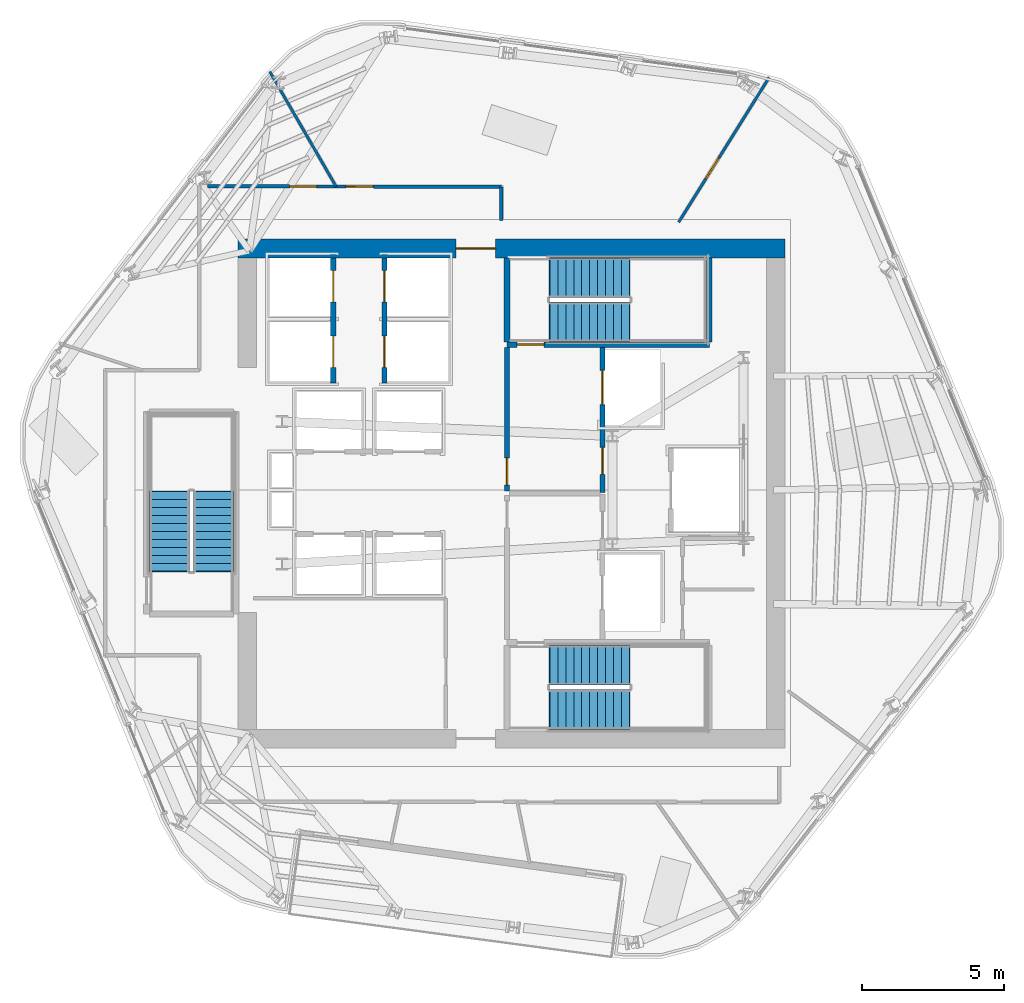
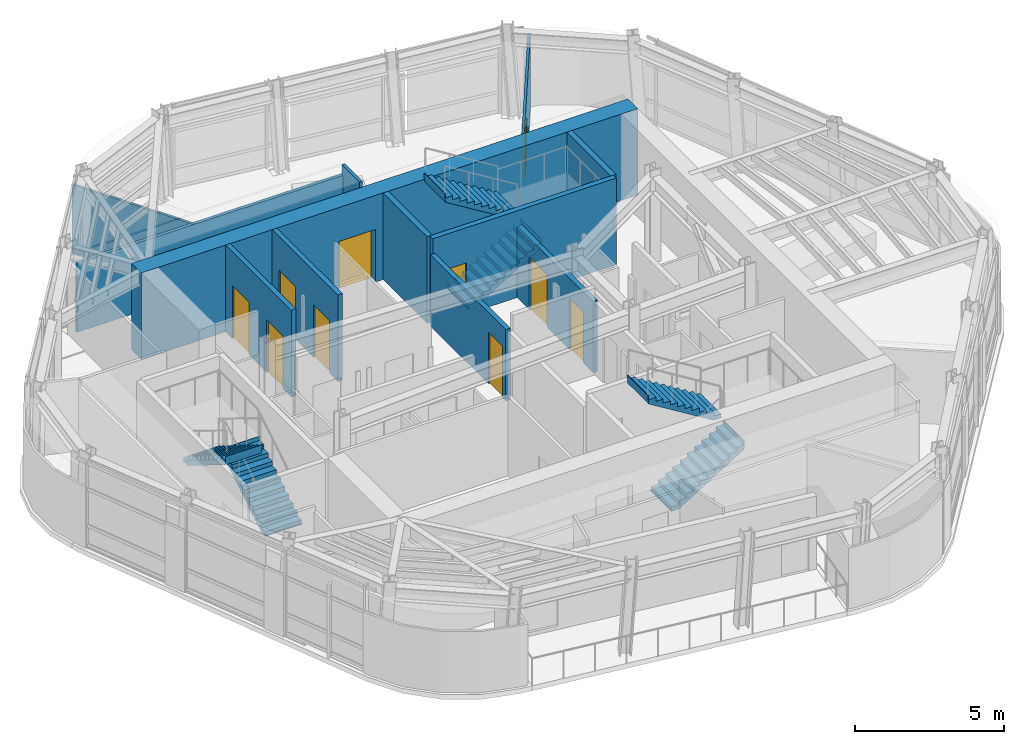
# One storey, part 7 of 12: 12 doors, 12 walls, 6 stair flights, 12 openings, 3 elements without a shape of their own.
"""IFC4 building model written with IfcOpenShell, lengths in metres."""

from ifc_helpers import new_model, si_unit, direction, frame, frame_2d, origin, place, context, subcontext, project, spatial, polyline, rectangle, outline, extrude, material, layer, layer_set, type_object, element, fill, aggregate, save


model = new_model("IFC4")

# Units and contexts
model_context = context("Model", 3, precision=1e-05, world=origin(), true_north=direction((0.0, 1.0)))
body_context = subcontext(model_context, "Body", "Model", "MODEL_VIEW")
ifc_project = project(units=[si_unit("LENGTHUNIT", "METRE"), si_unit("AREAUNIT", "SQUARE_METRE"), si_unit("VOLUMEUNIT", "CUBIC_METRE"), si_unit("PLANEANGLEUNIT", "RADIAN"), si_unit("MASSUNIT", "GRAM", prefix="KILO")], contexts=[model_context])

# Site, building, storey
site_placement = place(None, origin())
site = spatial("IfcSite", under=ifc_project, at=site_placement, CompositionType="ELEMENT")
building_placement = place(site_placement, origin())
building = spatial("IfcBuilding", under=site, at=building_placement, Name="Valkerne Bourse Tower", CompositionType="ELEMENT")
storey_placement = place(building_placement, frame((0.0, 0.0, 247.39990234375)))
storey = spatial("IfcBuildingStorey", under=building, at=storey_placement, Name="L63", CompositionType="ELEMENT", Elevation=247.39990234375)

# Wall, opening, door
ifc_material_1 = material(Name="Concrete C55/67", Category="concrete")
ifc_layer_1 = layer(ifc_material_1, 0.64990234375)
ifc_layer_set_1 = layer_set([ifc_layer_1], Name="Concrete C55/67")
wall_type_1 = type_object("IfcWallType", Name="W-CORE-650", PredefinedType="SHEAR", material=ifc_layer_set_1)
wall_1_placement = place(storey_placement, frame((37.199951171875, 35.47509765625, 0.0), z_axis=(0.0, 0.0, 1.0), x_axis=(1.0, 0.0, 0.0)))
wall_1 = element("IfcWall", 1, at=wall_1_placement, inside=storey, type_object=wall_type_1, Name="L63 Core Shear Wall NORTH", PredefinedType="SHEAR", context=body_context, shape_type="SweptSolid", body=[
    extrude(rectangle(XDim=19.199951171875, YDim=0.64990234375, at=frame_2d((9.60009765625, 0.0))), origin(), (0.0, 0.0, 1.0), 3.5400390625),
])
opening_1_placement = place(wall_1_placement, frame((7.64990234375, 0.0, 0.0)))
opening_1 = element("IfcOpeningElement", 2, at=opening_1_placement, cuts=wall_1, Name="Opening D-PL-1400", PredefinedType="OPENING", context=body_context, shape_type="SweptSolid", body=[
    extrude(rectangle(XDim=1.39990234375, YDim=2.14990234375, at=frame_2d((0.699951171875, 1.074951171875))), frame((0.0, 0.3349609375, 0.0), z_axis=(0.0, -1.0, 0.0), x_axis=(1.0, 0.0, 0.0)), (0.0, 0.0, 1.0), 0.669921875),
])
ifc_material_2 = material(Name="Galvanised Painted Steel", Category="steel")
door_type_1 = type_object("IfcDoorType", Name="DR-PLT-1400", OperationType="DOUBLE_DOOR_SINGLE_SWING", PredefinedType="DOOR", material=ifc_material_2)
door_1_placement = place(opening_1_placement, origin())
door_1 = element("IfcDoor", 3, at=door_1_placement, inside=storey, type_object=door_type_1, Name="L63 North Passenger Lift Hall Fire Door", OperationType="DOUBLE_DOOR_SINGLE_SWING", OverallHeight=2.14990234375, OverallWidth=1.39990234375, PredefinedType="DOOR", context=body_context, shape_type="SweptSolid", body=[
    extrude(rectangle(XDim=1.39990234375, YDim=2.14990234375, at=frame_2d((0.699951171875, 1.074951171875))), frame((0.0, 0.02490234375, 0.0), z_axis=(0.0, -1.0, 0.0), x_axis=(1.0, 0.0, 0.0)), (0.0, 0.0, 1.0), 0.050048828125),
])
fill(opening_1, door_1)

# Wall, openings, doors
ifc_material_3 = material(Name="Gypsum Board Steel-Stud Partition", Category="steel")
ifc_layer_2 = layer(ifc_material_3, 0.117919921875)
ifc_layer_set_2 = layer_set([ifc_layer_2], Name="Gypsum Board Steel-Stud Partition")
wall_type_2 = type_object("IfcWallType", Name="W-CORR-140", PredefinedType="PARTITIONING", material=ifc_layer_set_2)
wall_2_placement = place(storey_placement, frame((36.13427734375, 37.659912109375, 0.0), z_axis=(0.0, 0.0, 1.0), x_axis=(0.999998116865, -0.001940686947, 0.0)))
wall_2 = element("IfcWall", 4, at=wall_2_placement, inside=storey, type_object=wall_type_2, Name="L63 Corridor Enclosure Wall", PredefinedType="PARTITIONING", context=body_context, shape_type="SweptSolid", body=[
    extrude(rectangle(XDim=10.315673828125, YDim=0.117919921875, at=frame_2d((5.15771484375, 0.0))), origin(), (0.0, 0.0, 1.0), 2.836669921875),
])
opening_2_placement = place(wall_2_placement, frame((2.8828125, 0.0, 0.0)))
opening_2 = element("IfcOpeningElement", 5, at=opening_2_placement, cuts=wall_2, Name="Opening D-OF-950", PredefinedType="OPENING", context=body_context, shape_type="SweptSolid", body=[
    extrude(rectangle(XDim=0.949951171875, YDim=2.10009765625, at=frame_2d((0.47509765625, 1.050048828125))), frame((0.0, 0.06884765625, 0.0), z_axis=(0.0, -1.0, 0.0), x_axis=(1.0, 0.0, 0.0)), (0.0, 0.0, 1.0), 0.137939453125),
])
opening_3_placement = place(wall_2_placement, frame((4.86279296875, 0.0, 0.0)))
opening_3 = element("IfcOpeningElement", 6, at=opening_3_placement, cuts=wall_2, Name="Opening D-OF-950", PredefinedType="OPENING", context=body_context, shape_type="SweptSolid", body=[
    extrude(rectangle(XDim=0.949951171875, YDim=2.10009765625, at=frame_2d((0.47509765625, 1.050048828125))), frame((0.0, 0.06884765625, 0.0), z_axis=(0.0, -1.0, 0.0), x_axis=(1.0, 0.0, 0.0)), (0.0, 0.0, 1.0), 0.137939453125),
])
ifc_material_4 = material(Name="Architectural White Oak Timber", Category="wood")
door_type_2 = type_object("IfcDoorType", Name="DR-OFF-950", OperationType="NOTDEFINED", PredefinedType="DOOR", material=ifc_material_4)
door_2_placement = place(opening_2_placement, origin())
door_2 = element("IfcDoor", 7, at=door_2_placement, inside=storey, type_object=door_type_2, Name="L63 L63 VIP Client Concierge Reception 4 Door", OperationType="SINGLE_SWING_LEFT", OverallHeight=2.10009765625, OverallWidth=0.949951171875, PredefinedType="DOOR", context=body_context, shape_type="SweptSolid", body=[
    extrude(rectangle(XDim=0.949951171875, YDim=2.10009765625, at=frame_2d((0.47509765625, 1.050048828125))), frame((0.0, 0.02490234375, 0.0), z_axis=(0.0, -1.0, 0.0), x_axis=(1.0, 0.0, 0.0)), (0.0, 0.0, 1.0), 0.050048828125),
])
fill(opening_2, door_2)
door_3_placement = place(opening_3_placement, origin())
door_3 = element("IfcDoor", 8, at=door_3_placement, inside=storey, type_object=door_type_2, Name="L63 L63 Trading Desk Office 6 Door", OperationType="SINGLE_SWING_RIGHT", OverallHeight=2.10009765625, OverallWidth=0.949951171875, PredefinedType="DOOR", context=body_context, shape_type="SweptSolid", body=[
    extrude(rectangle(XDim=0.949951171875, YDim=2.10009765625, at=frame_2d((0.47509765625, 1.050048828125))), frame((0.0, 0.02490234375, 0.0), z_axis=(0.0, -1.0, 0.0), x_axis=(1.0, 0.0, 0.0)), (0.0, 0.0, 1.0), 0.050048828125),
])
fill(opening_3, door_3)

# Wall
wall_3_placement = place(storey_placement, frame((46.449951171875, 37.639892578125, 0.0), z_axis=(0.0, 0.0, 1.0), x_axis=(0.0, -1.0, 0.0)))
element("IfcWall", 9, at=wall_3_placement, inside=storey, type_object=wall_type_2, Name="L63 Corridor Enclosure Wall", PredefinedType="PARTITIONING", context=body_context, shape_type="SweptSolid", body=[
    extrude(rectangle(XDim=1.179931640625, YDim=0.117919921875, at=frame_2d((0.58984375, 0.0))), origin(), (0.0, 0.0, 1.0), 3.239990234375),
])

# Wall, opening, door
ifc_material_5 = material(Name="Gypsum Fire-Rated Shaftwall", Category="gypsum")
ifc_layer_3 = layer(ifc_material_5, 0.179931640625)
ifc_layer_set_3 = layer_set([ifc_layer_3], Name="Gypsum Fire-Rated Shaftwall")
wall_type_3 = type_object("IfcWallType", Name="W-FSAE-180", PredefinedType="PARTITIONING", material=ifc_layer_set_3)
wall_4_placement = place(storey_placement, frame((46.64990234375, 26.9599609375, 0.0), z_axis=(0.0, 0.0, 1.0), x_axis=(0.0, 1.0, 0.0)))
wall_4 = element("IfcWall", 10, at=wall_4_placement, inside=storey, type_object=wall_type_3, Name="L63 FSAE-2 Lobby West Fire Wall", PredefinedType="PARTITIONING", context=body_context, shape_type="SweptSolid", body=[
    extrude(rectangle(XDim=5.0400390625, YDim=0.179931640625, at=frame_2d((2.52001953125, 0.0))), origin(), (0.0, 0.0, 1.0), 2.91796875),
])
opening_4_placement = place(wall_4_placement, frame((0.219970703125, 0.0, 0.0)))
opening_4 = element("IfcOpeningElement", 11, at=opening_4_placement, cuts=wall_4, Name="Opening D-FS-950", PredefinedType="OPENING", context=body_context, shape_type="SweptSolid", body=[
    extrude(rectangle(XDim=0.949951171875, YDim=2.10009765625, at=frame_2d((0.47509765625, 1.050048828125))), frame((0.0, 0.099853515625, 0.0), z_axis=(0.0, -1.0, 0.0), x_axis=(1.0, 0.0, 0.0)), (0.0, 0.0, 1.0), 0.199951171875),
])
door_type_3 = type_object("IfcDoorType", Name="DR-FSAE-950", OperationType="NOTDEFINED", PredefinedType="DOOR", material=ifc_material_2)
door_4_placement = place(opening_4_placement, origin())
door_4 = element("IfcDoor", 12, at=door_4_placement, inside=storey, type_object=door_type_3, Name="L63 FSAE-2 Hall Link Fire Door", OperationType="SINGLE_SWING_RIGHT", OverallHeight=2.10009765625, OverallWidth=0.949951171875, PredefinedType="DOOR", context=body_context, shape_type="SweptSolid", body=[
    extrude(rectangle(XDim=0.949951171875, YDim=2.10009765625, at=frame_2d((0.47509765625, 1.050048828125))), frame((0.0, 0.02490234375, 0.0), z_axis=(0.0, -1.0, 0.0), x_axis=(1.0, 0.0, 0.0)), (0.0, 0.0, 1.0), 0.050048828125),
])
fill(opening_4, door_4)

# Wall, openings, doors
wall_5_placement = place(storey_placement, frame((50.0, 26.919921875, 0.0), z_axis=(0.0, 0.0, 1.0), x_axis=(0.0, 1.0, 0.0)))
wall_5 = element("IfcWall", 13, at=wall_5_placement, inside=storey, type_object=wall_type_3, Name="L63 FSAE-2 Lobby & Shaft Front Wall", PredefinedType="PARTITIONING", context=body_context, shape_type="SweptSolid", body=[
    extrude(rectangle(XDim=5.080078125, YDim=0.179931640625, at=frame_2d((2.5400390625, 0.0))), origin(), (0.0, 0.0, 1.0), 2.91796875),
])
opening_5_placement = place(wall_5_placement, frame((3.080078125, 0.0, 0.0)))
opening_5 = element("IfcOpeningElement", 14, at=opening_5_placement, cuts=wall_5, Name="Opening LD-1200", PredefinedType="OPENING", context=body_context, shape_type="SweptSolid", body=[
    extrude(rectangle(XDim=1.199951171875, YDim=2.14990234375, at=frame_2d((0.60009765625, 1.074951171875))), frame((0.0, 0.099853515625, 0.0), z_axis=(0.0, -1.0, 0.0), x_axis=(1.0, 0.0, 0.0)), (0.0, 0.0, 1.0), 0.199951171875),
])
opening_6_placement = place(wall_5_placement, frame((0.6298828125, 0.0, 0.0)))
opening_6 = element("IfcOpeningElement", 15, at=opening_6_placement, cuts=wall_5, Name="Opening D-FS-950", PredefinedType="OPENING", context=body_context, shape_type="SweptSolid", body=[
    extrude(rectangle(XDim=0.949951171875, YDim=2.10009765625, at=frame_2d((0.47509765625, 1.050048828125))), frame((0.0, 0.099853515625, 0.0), z_axis=(0.0, -1.0, 0.0), x_axis=(1.0, 0.0, 0.0)), (0.0, 0.0, 1.0), 0.199951171875),
])
door_5_placement = place(opening_6_placement, origin())
door_5 = element("IfcDoor", 16, at=door_5_placement, inside=storey, type_object=door_type_3, Name="L63 FSAE-2 Lobby Corridor Fire Door", OperationType="SINGLE_SWING_RIGHT", OverallHeight=2.10009765625, OverallWidth=0.949951171875, PredefinedType="DOOR", context=body_context, shape_type="SweptSolid", body=[
    extrude(rectangle(XDim=0.949951171875, YDim=2.10009765625, at=frame_2d((0.47509765625, 1.050048828125))), frame((0.0, 0.02490234375, 0.0), z_axis=(0.0, -1.0, 0.0), x_axis=(1.0, 0.0, 0.0)), (0.0, 0.0, 1.0), 0.050048828125),
])
fill(opening_6, door_5)
ifc_material_6 = material(Name="Stainless Steel AISI 316", Category="steel")
door_type_4 = type_object("IfcDoorType", Name="DR-LIFT-1200", OperationType="DOUBLE_DOOR_SLIDING", PredefinedType="DOOR", material=ifc_material_6)
door_6_placement = place(opening_5_placement, origin())
door_6 = element("IfcDoor", 17, at=door_6_placement, inside=storey, type_object=door_type_4, Name="L63 FSAE-2 Firefighting Lift Landing Door", OperationType="DOUBLE_DOOR_SLIDING", OverallHeight=2.14990234375, OverallWidth=1.199951171875, PredefinedType="DOOR", context=body_context, shape_type="SweptSolid", body=[
    extrude(rectangle(XDim=1.199951171875, YDim=2.14990234375, at=frame_2d((0.60009765625, 1.074951171875))), frame((0.0, 0.02490234375, 0.0), z_axis=(0.0, -1.0, 0.0), x_axis=(1.0, 0.0, 0.0)), (0.0, 0.0, 1.0), 0.050048828125),
])
fill(opening_5, door_6)

ifc_material_7 = material(Name="CMU Blockwork Masonry 200mm", Category="masonry")
ifc_layer_4 = layer(ifc_material_7, 0.179931640625)
ifc_layer_set_4 = layer_set([ifc_layer_4], Name="CMU Blockwork Masonry 200mm")
wall_type_4 = type_object("IfcWallType", Name="W-LFT-180", PredefinedType="SOLIDWALL", material=ifc_layer_set_4)
wall_6_placement = place(storey_placement, frame((40.550048828125, 30.75, 0.0), z_axis=(0.0, 0.0, 1.0), x_axis=(0.0, 1.0, 0.0)))
wall_6 = element("IfcWall", 18, at=wall_6_placement, inside=storey, type_object=wall_type_4, Name="L63 Mid-Zone West Cars Front Wall", PredefinedType="SOLIDWALL", context=body_context, shape_type="SweptSolid", body=[
    extrude(rectangle(XDim=4.39990234375, YDim=0.179931640625, at=frame_2d((2.199951171875, 0.0))), origin(), (0.0, 0.0, 1.0), 3.5400390625),
])
opening_7_placement = place(wall_6_placement, frame((0.550048828125, 0.0, 0.0)))
opening_7 = element("IfcOpeningElement", 19, at=opening_7_placement, cuts=wall_6, Name="Opening LD-1100", PredefinedType="OPENING", context=body_context, shape_type="SweptSolid", body=[
    extrude(rectangle(XDim=1.10009765625, YDim=2.14990234375, at=frame_2d((0.550048828125, 1.074951171875))), frame((0.0, 0.099853515625, 0.0), z_axis=(0.0, -1.0, 0.0), x_axis=(1.0, 0.0, 0.0)), (0.0, 0.0, 1.0), 0.199951171875),
])
opening_8_placement = place(wall_6_placement, frame((2.85009765625, 0.0, 0.0)))
opening_8 = element("IfcOpeningElement", 20, at=opening_8_placement, cuts=wall_6, Name="Opening LD-1100", PredefinedType="OPENING", context=body_context, shape_type="SweptSolid", body=[
    extrude(rectangle(XDim=1.10009765625, YDim=2.14990234375, at=frame_2d((0.550048828125, 1.074951171875))), frame((0.0, 0.099853515625, 0.0), z_axis=(0.0, -1.0, 0.0), x_axis=(1.0, 0.0, 0.0)), (0.0, 0.0, 1.0), 0.199951171875),
])
door_type_5 = type_object("IfcDoorType", Name="DR-LIFT-1100", OperationType="DOUBLE_DOOR_SLIDING", PredefinedType="DOOR", material=ifc_material_6)
door_7_placement = place(opening_7_placement, origin())
door_7 = element("IfcDoor", 21, at=door_7_placement, inside=storey, type_object=door_type_5, Name="L63 Passenger Lift PL-M1 Sliding Landing Door", OperationType="DOUBLE_DOOR_SLIDING", OverallHeight=2.14990234375, OverallWidth=1.10009765625, PredefinedType="DOOR", context=body_context, shape_type="SweptSolid", body=[
    extrude(rectangle(XDim=1.10009765625, YDim=2.14990234375, at=frame_2d((0.550048828125, 1.074951171875))), frame((0.0, 0.02490234375, 0.0), z_axis=(0.0, -1.0, 0.0), x_axis=(1.0, 0.0, 0.0)), (0.0, 0.0, 1.0), 0.050048828125),
])
fill(opening_7, door_7)
door_8_placement = place(opening_8_placement, origin())
door_8 = element("IfcDoor", 22, at=door_8_placement, inside=storey, type_object=door_type_5, Name="L63 Passenger Lift PL-M2 Sliding Landing Door", OperationType="DOUBLE_DOOR_SLIDING", OverallHeight=2.14990234375, OverallWidth=1.10009765625, PredefinedType="DOOR", context=body_context, shape_type="SweptSolid", body=[
    extrude(rectangle(XDim=1.10009765625, YDim=2.14990234375, at=frame_2d((0.550048828125, 1.074951171875))), frame((0.0, 0.02490234375, 0.0), z_axis=(0.0, -1.0, 0.0), x_axis=(1.0, 0.0, 0.0)), (0.0, 0.0, 1.0), 0.050048828125),
])
fill(opening_8, door_8)

wall_7_placement = place(storey_placement, frame((42.35009765625, 30.75, 0.0), z_axis=(0.0, 0.0, 1.0), x_axis=(0.0, 1.0, 0.0)))
wall_7 = element("IfcWall", 23, at=wall_7_placement, inside=storey, type_object=wall_type_4, Name="L63 Mid-Zone East Cars Front Wall", PredefinedType="SOLIDWALL", context=body_context, shape_type="SweptSolid", body=[
    extrude(rectangle(XDim=4.39990234375, YDim=0.179931640625, at=frame_2d((2.199951171875, 0.0))), origin(), (0.0, 0.0, 1.0), 3.5400390625),
])
opening_9_placement = place(wall_7_placement, frame((0.550048828125, 0.0, 0.0)))
opening_9 = element("IfcOpeningElement", 24, at=opening_9_placement, cuts=wall_7, Name="Opening LD-1100", PredefinedType="OPENING", context=body_context, shape_type="SweptSolid", body=[
    extrude(rectangle(XDim=1.10009765625, YDim=2.14990234375, at=frame_2d((0.550048828125, 1.074951171875))), frame((0.0, 0.099853515625, 0.0), z_axis=(0.0, -1.0, 0.0), x_axis=(1.0, 0.0, 0.0)), (0.0, 0.0, 1.0), 0.199951171875),
])
opening_10_placement = place(wall_7_placement, frame((2.85009765625, 0.0, 0.0)))
opening_10 = element("IfcOpeningElement", 25, at=opening_10_placement, cuts=wall_7, Name="Opening LD-1100", PredefinedType="OPENING", context=body_context, shape_type="SweptSolid", body=[
    extrude(rectangle(XDim=1.10009765625, YDim=2.14990234375, at=frame_2d((0.550048828125, 1.074951171875))), frame((0.0, 0.099853515625, 0.0), z_axis=(0.0, -1.0, 0.0), x_axis=(1.0, 0.0, 0.0)), (0.0, 0.0, 1.0), 0.199951171875),
])
door_9_placement = place(opening_9_placement, origin())
door_9 = element("IfcDoor", 26, at=door_9_placement, inside=storey, type_object=door_type_5, Name="L63 Passenger Lift PL-M3 Sliding Landing Door", OperationType="DOUBLE_DOOR_SLIDING", OverallHeight=2.14990234375, OverallWidth=1.10009765625, PredefinedType="DOOR", context=body_context, shape_type="SweptSolid", body=[
    extrude(rectangle(XDim=1.10009765625, YDim=2.14990234375, at=frame_2d((0.550048828125, 1.074951171875))), frame((0.0, 0.02490234375, 0.0), z_axis=(0.0, -1.0, 0.0), x_axis=(1.0, 0.0, 0.0)), (0.0, 0.0, 1.0), 0.050048828125),
])
fill(opening_9, door_9)
door_10_placement = place(opening_10_placement, origin())
door_10 = element("IfcDoor", 27, at=door_10_placement, inside=storey, type_object=door_type_5, Name="L63 Passenger Lift PL-M4 Sliding Landing Door", OperationType="DOUBLE_DOOR_SLIDING", OverallHeight=2.14990234375, OverallWidth=1.10009765625, PredefinedType="DOOR", context=body_context, shape_type="SweptSolid", body=[
    extrude(rectangle(XDim=1.10009765625, YDim=2.14990234375, at=frame_2d((0.550048828125, 1.074951171875))), frame((0.0, 0.02490234375, 0.0), z_axis=(0.0, -1.0, 0.0), x_axis=(1.0, 0.0, 0.0)), (0.0, 0.0, 1.0), 0.050048828125),
])
fill(opening_10, door_10)

# Wall, opening, door
ifc_layer_5 = layer(ifc_material_3, 0.092041015625)
ifc_layer_set_5 = layer_set([ifc_layer_5], Name="Gypsum Board Steel-Stud Partition")
wall_type_5 = type_object("IfcWallType", Name="W-PART-115", PredefinedType="PARTITIONING", material=ifc_layer_set_5)
wall_8_placement = place(storey_placement, frame((52.673828125, 36.39990234375, 0.0), z_axis=(0.0, 0.0, 1.0), x_axis=(0.529903658421, 0.848057847551, 0.0)))
wall_8 = element("IfcWall", 28, at=wall_8_placement, inside=storey, type_object=wall_type_5, Name="L63 Suite Partition P05", PredefinedType="PARTITIONING", context=body_context, shape_type="SweptSolid", body=[
    extrude(rectangle(XDim=5.988525390625, YDim=0.092041015625, at=frame_2d((2.994140625, 0.0))), origin(), (0.0, 0.0, 1.0), 2.9765625),
])
opening_11_placement = place(wall_8_placement, frame((1.794921875, 0.0, 0.0)))
opening_11 = element("IfcOpeningElement", 29, at=opening_11_placement, cuts=wall_8, Name="Opening D-WC-900", PredefinedType="OPENING", context=body_context, shape_type="SweptSolid", body=[
    extrude(rectangle(XDim=0.860107421875, YDim=2.050048828125, at=frame_2d((0.43017578125, 1.02490234375))), frame((0.0, 0.055908203125, 0.0), z_axis=(0.0, -1.0, 0.0), x_axis=(1.0, 0.0, 0.0)), (0.0, 0.0, 1.0), 0.112060546875),
])
door_type_6 = type_object("IfcDoorType", Name="DR-WC-900", OperationType="NOTDEFINED", PredefinedType="DOOR", material=ifc_material_4)
door_11_placement = place(opening_11_placement, origin())
door_11 = element("IfcDoor", 30, at=door_11_placement, inside=storey, type_object=door_type_6, Name="L63 L63 Client Strategy Conference Room 8 Suite Door", OperationType="SINGLE_SWING_RIGHT", OverallHeight=2.050048828125, OverallWidth=0.860107421875, PredefinedType="DOOR", context=body_context, shape_type="SweptSolid", body=[
    extrude(rectangle(XDim=0.860107421875, YDim=2.050048828125, at=frame_2d((0.43017578125, 1.02490234375))), frame((0.0, 0.02490234375, 0.0), z_axis=(0.0, -1.0, 0.0), x_axis=(1.0, 0.0, 0.0)), (0.0, 0.0, 1.0), 0.050048828125),
])
fill(opening_11, door_11)

# Wall
wall_9_placement = place(storey_placement, frame((40.654052734375, 37.64501953125, 0.0), z_axis=(0.0, 0.0, 1.0), x_axis=(-0.499988580478, 0.866031996748, 0.0)))
element("IfcWall", 31, at=wall_9_placement, inside=storey, type_object=wall_type_5, Name="L63 Suite Partition P06", PredefinedType="PARTITIONING", context=body_context, shape_type="SweptSolid", body=[
    extrude(rectangle(XDim=4.65869140625, YDim=0.092041015625, at=frame_2d((2.329345703125, 0.0))), origin(), (0.0, 0.0, 1.0), 2.836669921875),
])

# Wall, opening, door
ifc_material_8 = material(Name="Concrete C40/50", Category="concrete")
ifc_layer_6 = layer(ifc_material_8, 0.199951171875)
ifc_layer_set_6 = layer_set([ifc_layer_6], Name="Concrete C40/50")
wall_type_6 = type_object("IfcWallType", Name="W-SHF-200", PredefinedType="SHEAR", material=ifc_layer_set_6)
wall_10_placement = place(storey_placement, frame((46.64990234375, 32.10009765625, 0.0), z_axis=(0.0, 0.0, 1.0), x_axis=(1.0, 0.0, 0.0)))
wall_10 = element("IfcWall", 32, at=wall_10_placement, inside=storey, type_object=wall_type_6, Name="L63 Exit Stair ST-2 Structural Shaft Wall South", PredefinedType="SHEAR", context=body_context, shape_type="SweptSolid", body=[
    extrude(rectangle(XDim=7.10009765625, YDim=0.199951171875, at=frame_2d((3.550048828125, 0.0))), origin(), (0.0, 0.0, 1.0), 3.5400390625),
])
opening_12_placement = place(wall_10_placement, frame((0.35009765625, 0.0, 0.0)))
opening_12 = element("IfcOpeningElement", 33, at=opening_12_placement, cuts=wall_10, Name="Opening D-ST-950", PredefinedType="OPENING", context=body_context, shape_type="SweptSolid", body=[
    extrude(rectangle(XDim=0.949951171875, YDim=2.10009765625, at=frame_2d((0.47509765625, 1.050048828125))), frame((0.0, 0.10986328125, 0.0), z_axis=(0.0, -1.0, 0.0), x_axis=(1.0, 0.0, 0.0)), (0.0, 0.0, 1.0), 0.219970703125),
])
door_type_7 = type_object("IfcDoorType", Name="DR-STAIR-950", OperationType="NOTDEFINED", PredefinedType="DOOR", material=ifc_material_2)
door_12_placement = place(opening_12_placement, origin())
door_12 = element("IfcDoor", 34, at=door_12_placement, inside=storey, type_object=door_type_7, Name="L63 Exit Stair ST-2 Door", OperationType="SINGLE_SWING_RIGHT", OverallHeight=2.10009765625, OverallWidth=0.949951171875, PredefinedType="DOOR", context=body_context, shape_type="SweptSolid", body=[
    extrude(rectangle(XDim=0.949951171875, YDim=2.10009765625, at=frame_2d((0.47509765625, 1.050048828125))), frame((0.0, 0.02490234375, 0.0), z_axis=(0.0, -1.0, 0.0), x_axis=(1.0, 0.0, 0.0)), (0.0, 0.0, 1.0), 0.050048828125),
])
fill(opening_12, door_12)

# Walls
for number, where, z_axis, x_axis, name in (
    (35, (46.64990234375, 32.199951171875, 0.0), (0.0, 0.0, 1.0), (0.0, 1.0, 0.0), "L63 Exit Stair ST-2 Structural Shaft Wall West"),
    (36, (53.75, 32.199951171875, 0.0), (0.0, 0.0, 1.0), (0.0, 1.0, 0.0), "L63 Exit Stair ST-2 Structural Shaft Wall East"),
):
    element("IfcWall", number, at=place(storey_placement, frame(where, z_axis=z_axis, x_axis=x_axis)), inside=storey, type_object=wall_type_6, Name=name, PredefinedType="SHEAR", context=body_context, shape_type="SweptSolid", body=[
        extrude(rectangle(XDim=2.949951171875, YDim=0.199951171875, at=frame_2d((1.47509765625, 0.0))), origin(), (0.0, 0.0, 1.0), 3.5400390625),
    ])

# Stair, stair flights
stair_type = type_object("IfcStairType", Name="ST-CORE-1400", PredefinedType="HALF_TURN_STAIR", material=ifc_material_8)
stair_1_placement = place(storey_placement, origin())
stair_1 = element("IfcStair", 37, at=stair_1_placement, inside=storey, type_object=stair_type, Name="L63 ST-1", PredefinedType="HALF_TURN_STAIR")
stair_flight_type = type_object("IfcStairFlightType", Name="STF-CORE-1400", PredefinedType="STRAIGHT", material=ifc_material_8)
stair_flight_1_placement = place(storey_placement, frame((48.14990234375, 19.300048828125, 0.0), z_axis=(0.0, 0.0, 1.0), x_axis=(1.0, 0.0, 0.0)))
stair_flight_1 = element("IfcStairFlight", 38, at=stair_flight_1_placement, type_object=stair_flight_type, Name="ST-1 flight 1", NumberOfRisers=11, NumberOfTreads=10, PredefinedType="STRAIGHT", RiserHeight=0.172727273, TreadLength=0.28, context=body_context, shape_type="SweptSolid", body=[
    extrude(outline(polyline([(-0.02001953125, 0.0), (-0.02001953125, 0.044921875), (0.0, 0.044921875), (0.0, 0.172607421875), (0.280029296875, 0.172607421875), (0.280029296875, 0.345458984375), (0.56005859375, 0.345458984375), (0.56005859375, 0.51806640625), (0.840087890625, 0.51806640625), (0.840087890625, 0.69091796875), (1.1201171875, 0.69091796875), (1.1201171875, 0.863525390625), (1.39990234375, 0.863525390625), (1.39990234375, 1.036376953125), (1.679931640625, 1.036376953125), (1.679931640625, 1.208984375), (1.9599609375, 1.208984375), (1.9599609375, 1.3818359375), (2.239990234375, 1.3818359375), (2.239990234375, 1.554443359375), (2.52001953125, 1.554443359375), (2.52001953125, 1.727294921875), (2.800048828125, 1.727294921875), (2.800048828125, 1.89990234375), (2.820068359375, 1.89990234375), (2.820068359375, 1.780029296875), (2.800048828125, 1.551025390625), (0.285400390625, 0.0), (-0.02001953125, 0.0)])), frame((0.0, 0.699951171875, 0.0), z_axis=(0.0, -1.0, 0.0), x_axis=(1.0, 0.0, 0.0)), (0.0, 0.0, 1.0), 1.39990234375),
])
stair_flight_2_placement = place(storey_placement, frame((50.949951171875, 20.85009765625, 1.900146484375), z_axis=(0.0, 0.0, 1.0), x_axis=(-1.0, 0.0, 0.0)))
stair_flight_2 = element("IfcStairFlight", 39, at=stair_flight_2_placement, type_object=stair_flight_type, Name="ST-1 flight 2", NumberOfRisers=11, NumberOfTreads=10, PredefinedType="STRAIGHT", RiserHeight=0.172727273, TreadLength=0.28, context=body_context, shape_type="SweptSolid", body=[
    extrude(outline(polyline([(-0.02001953125, 0.0), (-0.02001953125, 0.044921875), (0.0, 0.044921875), (0.0, 0.172607421875), (0.280029296875, 0.172607421875), (0.280029296875, 0.345458984375), (0.56005859375, 0.345458984375), (0.56005859375, 0.51806640625), (0.840087890625, 0.51806640625), (0.840087890625, 0.69091796875), (1.1201171875, 0.69091796875), (1.1201171875, 0.863525390625), (1.39990234375, 0.863525390625), (1.39990234375, 1.036376953125), (1.679931640625, 1.036376953125), (1.679931640625, 1.208984375), (1.9599609375, 1.208984375), (1.9599609375, 1.3818359375), (2.239990234375, 1.3818359375), (2.239990234375, 1.554443359375), (2.52001953125, 1.554443359375), (2.52001953125, 1.727294921875), (2.800048828125, 1.727294921875), (2.800048828125, 1.89990234375), (2.820068359375, 1.89990234375), (2.820068359375, 1.780029296875), (2.800048828125, 1.551025390625), (0.285400390625, 0.0), (-0.02001953125, 0.0)])), frame((0.0, 0.699951171875, 0.0), z_axis=(0.0, -1.0, 0.0), x_axis=(1.0, 0.0, 0.0)), (0.0, 0.0, 1.0), 1.39990234375),
])
aggregate(stair_1, [stair_flight_1, stair_flight_2])

stair_2_placement = place(storey_placement, origin())
stair_2 = element("IfcStair", 40, at=stair_2_placement, inside=storey, type_object=stair_type, Name="L63 ST-2", PredefinedType="HALF_TURN_STAIR")
stair_flight_3_placement = place(storey_placement, frame((48.14990234375, 32.89990234375, 0.0), z_axis=(0.0, 0.0, 1.0), x_axis=(1.0, 0.0, 0.0)))
stair_flight_3 = element("IfcStairFlight", 41, at=stair_flight_3_placement, type_object=stair_flight_type, Name="ST-2 flight 1", NumberOfRisers=11, NumberOfTreads=10, PredefinedType="STRAIGHT", RiserHeight=0.172727273, TreadLength=0.28, context=body_context, shape_type="SweptSolid", body=[
    extrude(outline(polyline([(-0.02001953125, 0.0), (-0.02001953125, 0.044921875), (0.0, 0.044921875), (0.0, 0.172607421875), (0.280029296875, 0.172607421875), (0.280029296875, 0.345458984375), (0.56005859375, 0.345458984375), (0.56005859375, 0.51806640625), (0.840087890625, 0.51806640625), (0.840087890625, 0.69091796875), (1.1201171875, 0.69091796875), (1.1201171875, 0.863525390625), (1.39990234375, 0.863525390625), (1.39990234375, 1.036376953125), (1.679931640625, 1.036376953125), (1.679931640625, 1.208984375), (1.9599609375, 1.208984375), (1.9599609375, 1.3818359375), (2.239990234375, 1.3818359375), (2.239990234375, 1.554443359375), (2.52001953125, 1.554443359375), (2.52001953125, 1.727294921875), (2.800048828125, 1.727294921875), (2.800048828125, 1.89990234375), (2.820068359375, 1.89990234375), (2.820068359375, 1.780029296875), (2.800048828125, 1.551025390625), (0.285400390625, 0.0), (-0.02001953125, 0.0)])), frame((0.0, 0.699951171875, 0.0), z_axis=(0.0, -1.0, 0.0), x_axis=(1.0, 0.0, 0.0)), (0.0, 0.0, 1.0), 1.39990234375),
])
stair_flight_4_placement = place(storey_placement, frame((50.949951171875, 34.449951171875, 1.900146484375), z_axis=(0.0, 0.0, 1.0), x_axis=(-1.0, 0.0, 0.0)))
stair_flight_4 = element("IfcStairFlight", 42, at=stair_flight_4_placement, type_object=stair_flight_type, Name="ST-2 flight 2", NumberOfRisers=11, NumberOfTreads=10, PredefinedType="STRAIGHT", RiserHeight=0.172727273, TreadLength=0.28, context=body_context, shape_type="SweptSolid", body=[
    extrude(outline(polyline([(-0.02001953125, 0.0), (-0.02001953125, 0.044921875), (0.0, 0.044921875), (0.0, 0.172607421875), (0.280029296875, 0.172607421875), (0.280029296875, 0.345458984375), (0.56005859375, 0.345458984375), (0.56005859375, 0.51806640625), (0.840087890625, 0.51806640625), (0.840087890625, 0.69091796875), (1.1201171875, 0.69091796875), (1.1201171875, 0.863525390625), (1.39990234375, 0.863525390625), (1.39990234375, 1.036376953125), (1.679931640625, 1.036376953125), (1.679931640625, 1.208984375), (1.9599609375, 1.208984375), (1.9599609375, 1.3818359375), (2.239990234375, 1.3818359375), (2.239990234375, 1.554443359375), (2.52001953125, 1.554443359375), (2.52001953125, 1.727294921875), (2.800048828125, 1.727294921875), (2.800048828125, 1.89990234375), (2.820068359375, 1.89990234375), (2.820068359375, 1.780029296875), (2.800048828125, 1.551025390625), (0.285400390625, 0.0), (-0.02001953125, 0.0)])), frame((0.0, 0.699951171875, 0.0), z_axis=(0.0, -1.0, 0.0), x_axis=(1.0, 0.0, 0.0)), (0.0, 0.0, 1.0), 1.39990234375),
])
aggregate(stair_2, [stair_flight_3, stair_flight_4])

stair_3_placement = place(storey_placement, origin())
stair_3 = element("IfcStair", 43, at=stair_3_placement, inside=storey, type_object=stair_type, Name="L63 ST-3", PredefinedType="HALF_TURN_STAIR")
stair_flight_5_placement = place(storey_placement, frame((36.35009765625, 24.14990234375, 0.0), z_axis=(0.0, 0.0, 1.0), x_axis=(0.0, 1.0, 0.0)))
stair_flight_5 = element("IfcStairFlight", 44, at=stair_flight_5_placement, type_object=stair_flight_type, Name="ST-3 flight 1", NumberOfRisers=11, NumberOfTreads=10, PredefinedType="STRAIGHT", RiserHeight=0.172727273, TreadLength=0.28, context=body_context, shape_type="SweptSolid", body=[
    extrude(outline(polyline([(-0.02001953125, 0.0), (-0.02001953125, 0.044921875), (0.0, 0.044921875), (0.0, 0.172607421875), (0.280029296875, 0.172607421875), (0.280029296875, 0.345458984375), (0.56005859375, 0.345458984375), (0.56005859375, 0.51806640625), (0.840087890625, 0.51806640625), (0.840087890625, 0.69091796875), (1.1201171875, 0.69091796875), (1.1201171875, 0.863525390625), (1.39990234375, 0.863525390625), (1.39990234375, 1.036376953125), (1.679931640625, 1.036376953125), (1.679931640625, 1.208984375), (1.9599609375, 1.208984375), (1.9599609375, 1.3818359375), (2.239990234375, 1.3818359375), (2.239990234375, 1.554443359375), (2.52001953125, 1.554443359375), (2.52001953125, 1.727294921875), (2.800048828125, 1.727294921875), (2.800048828125, 1.89990234375), (2.820068359375, 1.89990234375), (2.820068359375, 1.780029296875), (2.800048828125, 1.551025390625), (0.285400390625, 0.0), (-0.02001953125, 0.0)])), frame((0.0, 0.699951171875, 0.0), z_axis=(0.0, -1.0, 0.0), x_axis=(1.0, 0.0, 0.0)), (0.0, 0.0, 1.0), 1.39990234375),
])
stair_flight_6_placement = place(storey_placement, frame((34.800048828125, 26.949951171875, 1.900146484375), z_axis=(0.0, 0.0, 1.0), x_axis=(0.0, -1.0, 0.0)))
stair_flight_6 = element("IfcStairFlight", 45, at=stair_flight_6_placement, type_object=stair_flight_type, Name="ST-3 flight 2", NumberOfRisers=11, NumberOfTreads=10, PredefinedType="STRAIGHT", RiserHeight=0.172727273, TreadLength=0.28, context=body_context, shape_type="SweptSolid", body=[
    extrude(outline(polyline([(-0.02001953125, 0.0), (-0.02001953125, 0.044921875), (0.0, 0.044921875), (0.0, 0.172607421875), (0.280029296875, 0.172607421875), (0.280029296875, 0.345458984375), (0.56005859375, 0.345458984375), (0.56005859375, 0.51806640625), (0.840087890625, 0.51806640625), (0.840087890625, 0.69091796875), (1.1201171875, 0.69091796875), (1.1201171875, 0.863525390625), (1.39990234375, 0.863525390625), (1.39990234375, 1.036376953125), (1.679931640625, 1.036376953125), (1.679931640625, 1.208984375), (1.9599609375, 1.208984375), (1.9599609375, 1.3818359375), (2.239990234375, 1.3818359375), (2.239990234375, 1.554443359375), (2.52001953125, 1.554443359375), (2.52001953125, 1.727294921875), (2.800048828125, 1.727294921875), (2.800048828125, 1.89990234375), (2.820068359375, 1.89990234375), (2.820068359375, 1.780029296875), (2.800048828125, 1.551025390625), (0.285400390625, 0.0), (-0.02001953125, 0.0)])), frame((0.0, 0.699951171875, 0.0), z_axis=(0.0, -1.0, 0.0), x_axis=(1.0, 0.0, 0.0)), (0.0, 0.0, 1.0), 1.39990234375),
])
aggregate(stair_3, [stair_flight_5, stair_flight_6])

save(model, "model.ifc")
